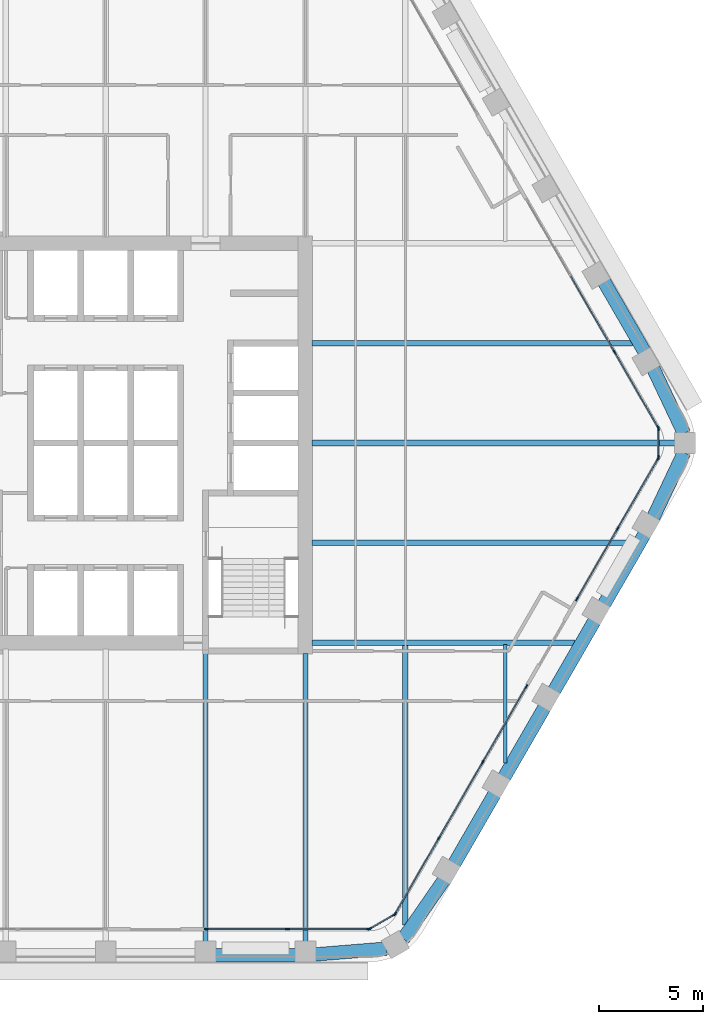
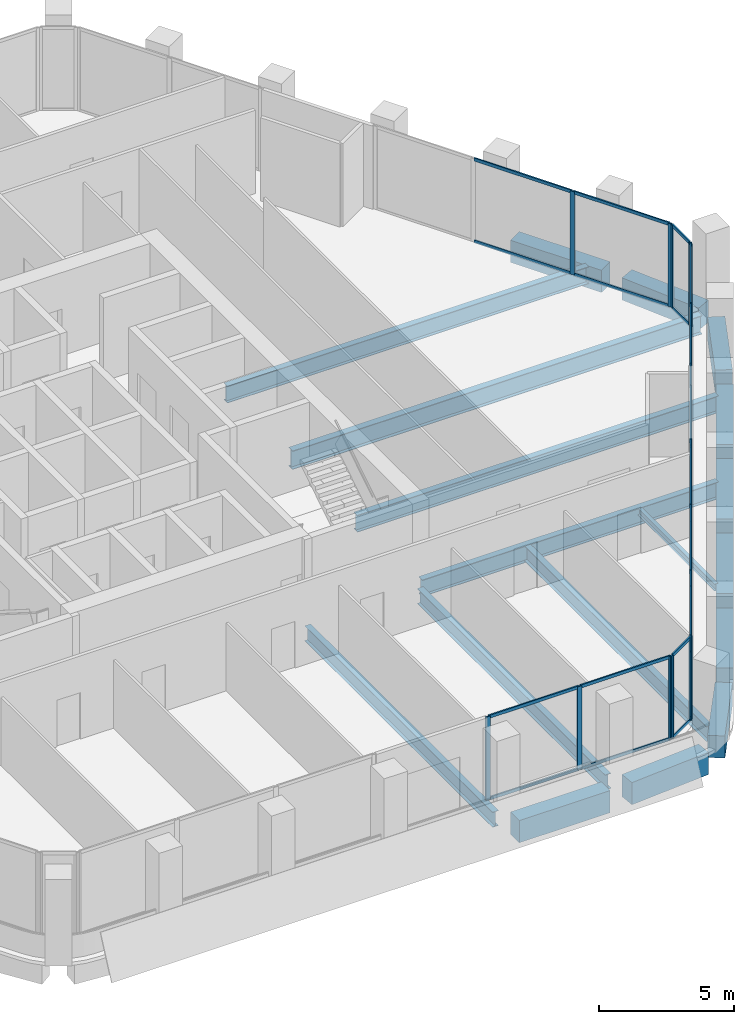
# One storey, part 4 of 15: 38 members, 18 beams, 6 elements without a shape of their own.
"""IFC4 building model written with IfcOpenShell, lengths in metres."""

from ifc_helpers import new_model, si_unit, direction, frame, origin, origin_2d, place, context, subcontext, project, spatial, rectangle, i_section, extrude, material, material_profile, profile_set, type_object, element, aggregate, save


model = new_model("IFC4")

# Units and contexts
model_context = context("Model", 3, precision=1e-05, world=origin(), true_north=direction((0.0, 1.0)))
body_context = subcontext(model_context, "Body", "Model", "MODEL_VIEW")
ifc_project = project(units=[si_unit("LENGTHUNIT", "METRE"), si_unit("AREAUNIT", "SQUARE_METRE"), si_unit("VOLUMEUNIT", "CUBIC_METRE"), si_unit("PLANEANGLEUNIT", "RADIAN"), si_unit("MASSUNIT", "GRAM", prefix="KILO")], contexts=[model_context])

# Site, building, storey
site_placement = place(None, origin())
site = spatial("IfcSite", under=ifc_project, at=site_placement, CompositionType="ELEMENT")
building_placement = place(site_placement, origin())
building = spatial("IfcBuilding", under=site, at=building_placement, Name="Kolab Exchange Tower", CompositionType="ELEMENT")
storey_placement = place(building_placement, frame((0.0, 0.0, 185.60009765625)))
storey = spatial("IfcBuildingStorey", under=building, at=storey_placement, Name="L39", CompositionType="ELEMENT", Elevation=185.60009765625)

# Beams
ifc_material_1 = material(Name="Steel S355", Category="steel")
ifc_material_profile_1 = material_profile(ifc_material_1, i_section(OverallWidth=0.1650390625, OverallDepth=0.31005859375, WebThickness=0.005859375, FlangeThickness=0.009765625, at=origin_2d()), Name="W310X39")
ifc_profile_set_1 = profile_set([ifc_material_profile_1], Name="Steel S355")
beam_type_1 = type_object("IfcBeamType", Name="FLOOR BEAM W310X39", PredefinedType="BEAM", material=ifc_profile_set_1)
beam_1_placement = place(storey_placement, frame((19.199951171875, -15.36767578125, -0.30517578125), z_axis=(0.0, 1.0, 0.0), x_axis=(-1.0, 0.0, 0.0)))
element("IfcBeam", 1, at=beam_1_placement, inside=storey, type_object=beam_type_1, Name="beam/L39/fr/022", PredefinedType="BEAM", context=body_context, shape_type="SweptSolid", body=[
    extrude(i_section(OverallWidth=0.1650390625, OverallDepth=0.31005859375, WebThickness=0.005859375, FlangeThickness=0.009765625, at=origin_2d()), origin(), (0.0, 0.0, 1.0), 5.674072265625),
])
ifc_material_profile_2 = material_profile(ifc_material_1, i_section(OverallWidth=0.25390625, OverallDepth=0.68408203125, WebThickness=0.012451171875, FlangeThickness=0.018798828125, at=origin_2d()), Name="W690X140")
ifc_profile_set_2 = profile_set([ifc_material_profile_2], Name="Steel S355")
beam_type_2 = type_object("IfcBeamType", Name="FLOOR BEAM W690X140", PredefinedType="BEAM", material=ifc_profile_set_2)
for number, where, z_axis, x_axis, name in (
    (2, (4.800048828125, -23.9814453125, -0.4921875), (0.0, 1.0, 0.0), (-1.0, 0.0, 0.0), "beam/L39/fr/013"),
    (3, (9.60009765625, -23.9814453125, -0.4921875), (0.0, 1.0, 0.0), (-1.0, 0.0, 0.0), "beam/L39/fr/015"),
):
    element("IfcBeam", number, at=place(storey_placement, frame(where, z_axis=z_axis, x_axis=x_axis)), inside=storey, type_object=beam_type_2, Name=name, PredefinedType="BEAM", context=body_context, shape_type="SweptSolid", body=[
        extrude(i_section(OverallWidth=0.25390625, OverallDepth=0.68408203125, WebThickness=0.012451171875, FlangeThickness=0.018798828125, at=origin_2d()), origin(), (0.0, 0.0, 1.0), 13.871337890625),
    ])
beam_2_placement = place(storey_placement, frame((14.39990234375, -23.15576171875, -0.4921875), z_axis=(0.0, 1.0, 0.0), x_axis=(-1.0, 0.0, 0.0)))
element("IfcBeam", 4, at=beam_2_placement, inside=storey, type_object=beam_type_2, Name="beam/L39/fr/020", PredefinedType="BEAM", context=body_context, shape_type="SweptSolid", body=[
    extrude(i_section(OverallWidth=0.25390625, OverallDepth=0.68408203125, WebThickness=0.012451171875, FlangeThickness=0.018798828125, at=origin_2d()), origin(), (0.0, 0.0, 1.0), 13.462158203125),
])
ifc_material_profile_3 = material_profile(ifc_material_1, i_section(OverallWidth=0.26708984375, OverallDepth=0.761962890625, WebThickness=0.014404296875, FlangeThickness=0.021484375, at=origin_2d()), Name="W760X173")
ifc_profile_set_3 = profile_set([ifc_material_profile_3], Name="Steel S355")
beam_type_3 = type_object("IfcBeamType", Name="FLOOR BEAM W760X173", PredefinedType="BEAM", material=ifc_profile_set_3)
for number, where, z_axis, x_axis, name in (
    (5, (9.909912109375, -4.800048828125, -0.531005859375), (1.0, 0.0, 0.0), (0.0, 1.0, 0.0), "beam/L39/fr/017"),
    (6, (9.909912109375, 4.800048828125, -0.531005859375), (1.0, 0.0, 0.0), (0.0, 1.0, 0.0), "beam/L39/fr/019"),
):
    element("IfcBeam", number, at=place(storey_placement, frame(where, z_axis=z_axis, x_axis=x_axis)), inside=storey, type_object=beam_type_3, Name=name, PredefinedType="BEAM", context=body_context, shape_type="SweptSolid", body=[
        extrude(i_section(OverallWidth=0.26708984375, OverallDepth=0.761962890625, WebThickness=0.014404296875, FlangeThickness=0.021484375, at=origin_2d()), origin(), (0.0, 0.0, 1.0), 15.408203125),
    ])
ifc_material_profile_4 = material_profile(ifc_material_1, i_section(OverallWidth=0.2919921875, OverallDepth=0.840087890625, WebThickness=0.0146484375, FlangeThickness=0.021728515625, at=origin_2d()), Name="W840X193")
ifc_profile_set_4 = profile_set([ifc_material_profile_4], Name="Steel S355")
beam_type_4 = type_object("IfcBeamType", Name="FLOOR BEAM W840X193", PredefinedType="BEAM", material=ifc_profile_set_4)
beam_3_placement = place(storey_placement, frame((9.909912109375, 0.0, -0.570068359375), z_axis=(1.0, 0.0, 0.0), x_axis=(0.0, 1.0, 0.0)))
element("IfcBeam", 7, at=beam_3_placement, inside=storey, type_object=beam_type_4, Name="beam/L39/fr/018", PredefinedType="BEAM", context=body_context, shape_type="SweptSolid", body=[
    extrude(i_section(OverallWidth=0.2919921875, OverallDepth=0.840087890625, WebThickness=0.0146484375, FlangeThickness=0.021728515625, at=origin_2d()), origin(), (0.0, 0.0, 1.0), 17.466064453125),
])
ifc_material_profile_5 = material_profile(ifc_material_1, i_section(OverallWidth=0.26708984375, OverallDepth=0.761962890625, WebThickness=0.014404296875, FlangeThickness=0.021484375, at=origin_2d()), Name="W760X173")
ifc_profile_set_5 = profile_set([ifc_material_profile_5], Name="Steel S355")
beam_type_5 = type_object("IfcBeamType", Name="FLOOR GIRDER W760X173", PredefinedType="BEAM", material=ifc_profile_set_5)
beam_4_placement = place(storey_placement, frame((9.909912109375, -9.60009765625, -0.531005859375), z_axis=(1.0, 0.0, 0.0), x_axis=(0.0, 1.0, 0.0)))
element("IfcBeam", 8, at=beam_4_placement, inside=storey, type_object=beam_type_5, Name="beam/L39/gd/002", PredefinedType="BEAM", context=body_context, shape_type="SweptSolid", body=[
    extrude(i_section(OverallWidth=0.26708984375, OverallDepth=0.761962890625, WebThickness=0.014404296875, FlangeThickness=0.021484375, at=origin_2d()), origin(), (0.0, 0.0, 1.0), 12.636962890625),
])
ifc_material_2 = material(Name="Concrete C60/75", Category="concrete")
ifc_material_profile_6 = material_profile(ifc_material_2, rectangle(XDim=0.64990234375, YDim=1.0, at=origin_2d()), Name="RC650X1000")
ifc_profile_set_6 = profile_set([ifc_material_profile_6], Name="Concrete C60/75")
beam_type_6 = type_object("IfcBeamType", Name="SPANDREL BEAM 650X1000 C60/75", PredefinedType="BEAM", material=ifc_profile_set_6)
beam_5_placement = place(storey_placement, frame((23.948486328125, 7.7529296875, -0.650146484375), z_axis=(0.499996613652, -0.866027358884, 0.0), x_axis=(0.866027358884, 0.499996613652, 0.0)))
element("IfcBeam", 9, at=beam_5_placement, inside=storey, type_object=beam_type_6, Name="beam/L39/sp/F2-05", PredefinedType="BEAM", context=body_context, shape_type="SweptSolid", body=[
    extrude(rectangle(XDim=0.64990234375, YDim=1.0, at=origin_2d()), origin(), (0.0, 0.0, 1.0), 3.8798828125),
])
for number, where, z_axis, x_axis, name in (
    (10, (26.316162109375, 3.5771484375, -0.650146484375), (0.428177731975, -0.903694544545, 0.0), (0.903694544545, 0.428177731975, 0.0), "beam/L39/sp/F2-06"),
    (11, (27.791259765625, -0.4638671875, -0.650146484375), (-0.428177731975, -0.903694544545, 0.0), (0.903694544545, -0.428177731975, 0.0), "beam/L39/sp/F3-01"),
):
    element("IfcBeam", number, at=place(storey_placement, frame(where, z_axis=z_axis, x_axis=x_axis)), inside=storey, type_object=beam_type_6, Name=name, PredefinedType="BEAM", context=body_context, shape_type="SweptSolid", body=[
        extrude(rectangle(XDim=0.64990234375, YDim=1.0, at=origin_2d()), origin(), (0.0, 0.0, 1.0), 3.445068359375),
    ])
for number, where, z_axis, x_axis, name in (
    (12, (25.888427734375, -4.392822265625, -0.650146484375), (-0.499996613652, -0.866027358884, 0.0), (0.866027358884, -0.499996613652, 0.0), "beam/L39/sp/F3-02"),
    (13, (23.488525390625, -8.5498046875, -0.650146484375), (-0.499996613652, -0.866027358884, 0.0), (0.866027358884, -0.499996613652, 0.0), "beam/L39/sp/F3-03"),
):
    element("IfcBeam", number, at=place(storey_placement, frame(where, z_axis=z_axis, x_axis=x_axis)), inside=storey, type_object=beam_type_6, Name=name, PredefinedType="BEAM", context=body_context, shape_type="SweptSolid", body=[
        extrude(rectangle(XDim=0.64990234375, YDim=1.0, at=origin_2d()), origin(), (0.0, 0.0, 1.0), 3.8798828125),
    ])
beam_6_placement = place(storey_placement, frame((21.088623046875, -12.70654296875, -0.650146484375), z_axis=(-0.50001655835, -0.866015843605, 0.0), x_axis=(0.866015843605, -0.50001655835, 0.0)))
element("IfcBeam", 14, at=beam_6_placement, inside=storey, type_object=beam_type_6, Name="beam/L39/sp/F3-04", PredefinedType="BEAM", context=body_context, shape_type="SweptSolid", body=[
    extrude(rectangle(XDim=0.64990234375, YDim=1.0, at=origin_2d()), origin(), (0.0, 0.0, 1.0), 3.880126953125),
])
beam_7_placement = place(storey_placement, frame((18.6884765625, -16.863525390625, -0.650146484375), z_axis=(-0.499996613652, -0.866027358884, 0.0), x_axis=(0.866027358884, -0.499996613652, 0.0)))
element("IfcBeam", 15, at=beam_7_placement, inside=storey, type_object=beam_type_6, Name="beam/L39/sp/F3-05", PredefinedType="BEAM", context=body_context, shape_type="SweptSolid", body=[
    extrude(rectangle(XDim=0.64990234375, YDim=1.0, at=origin_2d()), origin(), (0.0, 0.0, 1.0), 3.8798828125),
])
for number, where, z_axis, x_axis, name in (
    (16, (16.256103515625, -21.001953125, -0.650146484375), (-0.568572281073, -0.822633309073, 0.0), (0.822633309073, -0.568572281073, 0.0), "beam/L39/sp/F3-06"),
    (17, (13.493896484375, -24.2998046875, -0.650146484375), (-0.996708497182, -0.081068931445, 0.0), (0.081068931445, -0.996708497182, 0.0), "beam/L39/sp/F4-01"),
):
    element("IfcBeam", number, at=place(storey_placement, frame(where, z_axis=z_axis, x_axis=x_axis)), inside=storey, type_object=beam_type_6, Name=name, PredefinedType="BEAM", context=body_context, shape_type="SweptSolid", body=[
        extrude(rectangle(XDim=0.64990234375, YDim=1.0, at=origin_2d()), origin(), (0.0, 0.0, 1.0), 3.445068359375),
    ])
beam_8_placement = place(storey_placement, frame((9.139892578125, -24.616455078125, -0.650146484375), z_axis=(-1.0, 0.0, 0.0), x_axis=(0.0, -1.0, 0.0)))
element("IfcBeam", 18, at=beam_8_placement, inside=storey, type_object=beam_type_6, Name="beam/L39/sp/F4-02", PredefinedType="BEAM", context=body_context, shape_type="SweptSolid", body=[
    extrude(rectangle(XDim=0.64990234375, YDim=1.0, at=origin_2d()), origin(), (0.0, 0.0, 1.0), 3.8798828125),
])

# Curtain wall, members
ifc_material_3 = material(Name="Aluminium EN AW-6063 T6", Category="aluminium")
curtain_wall_type = type_object("IfcCurtainWallType", Name="UNITISED UPPER MID ZONE CURTAIN WALL", PredefinedType="NOTDEFINED", material=ifc_material_3)
curtain_wall_1_placement = place(storey_placement, origin())
curtain_wall_1 = element("IfcCurtainWall", 19, at=curtain_wall_1_placement, inside=storey, type_object=curtain_wall_type, Name="cw/L39/F2-2", PredefinedType="NOTDEFINED")
ifc_material_profile_7 = material_profile(ifc_material_3, rectangle(XDim=0.06005859375, YDim=0.199951171875, at=origin_2d()), Name="RECT 60X200")
ifc_profile_set_7 = profile_set([ifc_material_profile_7], Name="Aluminium EN AW-6063 T6")
member_type_1 = type_object("IfcMemberType", Name="UNITISED UPPER MID ZONE MULLION 60 X 200", PredefinedType="MULLION", material=ifc_profile_set_7)
member_1_placement = place(storey_placement, frame((24.454345703125, 4.366943359375, 0.0), z_axis=(0.0, 0.0, 1.0), x_axis=(0.866025427826, 0.499999958358, 0.0)))
member_1 = element("IfcMember", 20, at=member_1_placement, type_object=member_type_1, Name="CW3 mullion 3", PredefinedType="MULLION", context=body_context, shape_type="SweptSolid", body=[
    extrude(rectangle(XDim=0.06005859375, YDim=0.199951171875, at=origin_2d()), origin(), (0.0, 0.0, 1.0), 3.75),
])
member_2_placement = place(storey_placement, frame((26.550537109375, 0.736083984375, 0.0), z_axis=(0.0, 0.0, 1.0), x_axis=(0.866025427826, 0.499999958358, 0.0)))
member_2 = element("IfcMember", 21, at=member_2_placement, type_object=member_type_1, Name="CW3 mullion 4", PredefinedType="MULLION", context=body_context, shape_type="SweptSolid", body=[
    extrude(rectangle(XDim=0.06005859375, YDim=0.199951171875, at=origin_2d()), origin(), (0.0, 0.0, 1.0), 3.75),
])

curtain_wall_2_placement = place(storey_placement, origin())
curtain_wall_2 = element("IfcCurtainWall", 22, at=curtain_wall_2_placement, inside=storey, type_object=curtain_wall_type, Name="cw/L39/F3-1", PredefinedType="NOTDEFINED")
member_3_placement = place(storey_placement, frame((26.550537109375, -0.736083984375, 0.0), z_axis=(0.0, 0.0, 1.0), x_axis=(0.866025440524, -0.499999936366, 0.0)))
member_3 = element("IfcMember", 23, at=member_3_placement, type_object=member_type_1, Name="CW3 mullion 1", PredefinedType="MULLION", context=body_context, shape_type="SweptSolid", body=[
    extrude(rectangle(XDim=0.06005859375, YDim=0.199951171875, at=origin_2d()), origin(), (0.0, 0.0, 1.0), 3.75),
])
member_4_placement = place(storey_placement, frame((24.5986328125, -4.116943359375, 0.0), z_axis=(0.0, 0.0, 1.0), x_axis=(0.866025440524, -0.499999936366, 0.0)))
member_4 = element("IfcMember", 24, at=member_4_placement, type_object=member_type_1, Name="CW3 mullion 2", PredefinedType="MULLION", context=body_context, shape_type="SweptSolid", body=[
    extrude(rectangle(XDim=0.06005859375, YDim=0.199951171875, at=origin_2d()), origin(), (0.0, 0.0, 1.0), 3.75),
])
member_5_placement = place(storey_placement, frame((22.646728515625, -7.497802734375, 0.0), z_axis=(0.0, 0.0, 1.0), x_axis=(0.866025440524, -0.499999936366, 0.0)))
member_5 = element("IfcMember", 25, at=member_5_placement, type_object=member_type_1, Name="CW3 mullion 3", PredefinedType="MULLION", context=body_context, shape_type="SweptSolid", body=[
    extrude(rectangle(XDim=0.06005859375, YDim=0.199951171875, at=origin_2d()), origin(), (0.0, 0.0, 1.0), 3.75),
])

curtain_wall_3_placement = place(storey_placement, origin())
curtain_wall_3 = element("IfcCurtainWall", 26, at=curtain_wall_3_placement, inside=storey, type_object=curtain_wall_type, Name="cw/L39/F3-2", PredefinedType="NOTDEFINED")
member_6_placement = place(storey_placement, frame((20.216796875, -11.706787109375, 0.0), z_axis=(0.0, 0.0, 1.0), x_axis=(0.866025393644, -0.500000017564, 0.0)))
member_6 = element("IfcMember", 27, at=member_6_placement, type_object=member_type_1, Name="CW3 mullion 1", PredefinedType="MULLION", context=body_context, shape_type="SweptSolid", body=[
    extrude(rectangle(XDim=0.06005859375, YDim=0.199951171875, at=origin_2d()), origin(), (0.0, 0.0, 1.0), 3.75),
])
member_7_placement = place(storey_placement, frame((18.120361328125, -15.337646484375, 0.0), z_axis=(0.0, 0.0, 1.0), x_axis=(0.866025393644, -0.500000017564, 0.0)))
member_7 = element("IfcMember", 28, at=member_7_placement, type_object=member_type_1, Name="CW3 mullion 2", PredefinedType="MULLION", context=body_context, shape_type="SweptSolid", body=[
    extrude(rectangle(XDim=0.06005859375, YDim=0.199951171875, at=origin_2d()), origin(), (0.0, 0.0, 1.0), 3.75),
])
member_8_placement = place(storey_placement, frame((16.009033203125, -18.99462890625, 0.0), z_axis=(0.0, 0.0, 1.0), x_axis=(0.866025393644, -0.500000017564, 0.0)))
member_8 = element("IfcMember", 29, at=member_8_placement, type_object=member_type_1, Name="CW3 mullion 3", PredefinedType="MULLION", context=body_context, shape_type="SweptSolid", body=[
    extrude(rectangle(XDim=0.06005859375, YDim=0.199951171875, at=origin_2d()), origin(), (0.0, 0.0, 1.0), 3.75),
])
member_9_placement = place(storey_placement, frame((13.91259765625, -22.62548828125, 0.0), z_axis=(0.0, 0.0, 1.0), x_axis=(0.866025393644, -0.500000017564, 0.0)))
member_9 = element("IfcMember", 30, at=member_9_placement, type_object=member_type_1, Name="CW3 mullion 4", PredefinedType="MULLION", context=body_context, shape_type="SweptSolid", body=[
    extrude(rectangle(XDim=0.06005859375, YDim=0.199951171875, at=origin_2d()), origin(), (0.0, 0.0, 1.0), 3.75),
])

curtain_wall_4_placement = place(storey_placement, origin())
curtain_wall_4 = element("IfcCurtainWall", 31, at=curtain_wall_4_placement, inside=storey, type_object=curtain_wall_type, Name="cw/L39/F4-1", PredefinedType="NOTDEFINED")
member_10_placement = place(storey_placement, frame((12.637939453125, -23.361572265625, 0.0), z_axis=(0.0, 0.0, 1.0), x_axis=(0.0, -1.0, 0.0)))
member_10 = element("IfcMember", 32, at=member_10_placement, type_object=member_type_1, Name="CW3 mullion 1", PredefinedType="MULLION", context=body_context, shape_type="SweptSolid", body=[
    extrude(rectangle(XDim=0.06005859375, YDim=0.199951171875, at=origin_2d()), origin(), (0.0, 0.0, 1.0), 3.75),
])
member_11_placement = place(storey_placement, frame((8.73388671875, -23.361572265625, 0.0), z_axis=(0.0, 0.0, 1.0), x_axis=(0.0, -1.0, 0.0)))
member_11 = element("IfcMember", 33, at=member_11_placement, type_object=member_type_1, Name="CW3 mullion 2", PredefinedType="MULLION", context=body_context, shape_type="SweptSolid", body=[
    extrude(rectangle(XDim=0.06005859375, YDim=0.199951171875, at=origin_2d()), origin(), (0.0, 0.0, 1.0), 3.75),
])
member_12_placement = place(storey_placement, frame((4.830078125, -23.361572265625, 0.0), z_axis=(0.0, 0.0, 1.0), x_axis=(0.0, -1.0, 0.0)))
member_12 = element("IfcMember", 34, at=member_12_placement, type_object=member_type_1, Name="CW3 mullion 3", PredefinedType="MULLION", context=body_context, shape_type="SweptSolid", body=[
    extrude(rectangle(XDim=0.06005859375, YDim=0.199951171875, at=origin_2d()), origin(), (0.0, 0.0, 1.0), 3.75),
])

curtain_wall_5_placement = place(storey_placement, origin())
curtain_wall_5 = element("IfcCurtainWall", 35, at=curtain_wall_5_placement, inside=storey, type_object=curtain_wall_type, Name="cw/L39/F2F3-corner", PredefinedType="NOTDEFINED")
member_13_placement = place(storey_placement, frame((26.565673828125, 0.679931640625, 0.0), z_axis=(0.0, 0.0, 1.0), x_axis=(1.0, 0.0, 0.0)))
member_13 = element("IfcMember", 36, at=member_13_placement, type_object=member_type_1, Name="CW3 mullion 1", PredefinedType="MULLION", context=body_context, shape_type="SweptSolid", body=[
    extrude(rectangle(XDim=0.06005859375, YDim=0.199951171875, at=origin_2d()), origin(), (0.0, 0.0, 1.0), 3.75),
])
member_14_placement = place(storey_placement, frame((26.565673828125, -0.679931640625, 0.0), z_axis=(0.0, 0.0, 1.0), x_axis=(1.0, 0.0, 0.0)))
member_14 = element("IfcMember", 37, at=member_14_placement, type_object=member_type_1, Name="CW3 mullion 2", PredefinedType="MULLION", context=body_context, shape_type="SweptSolid", body=[
    extrude(rectangle(XDim=0.06005859375, YDim=0.199951171875, at=origin_2d()), origin(), (0.0, 0.0, 1.0), 3.75),
])

curtain_wall_6_placement = place(storey_placement, origin())
curtain_wall_6 = element("IfcCurtainWall", 38, at=curtain_wall_6_placement, inside=storey, type_object=curtain_wall_type, Name="cw/L39/F3F4-corner", PredefinedType="NOTDEFINED")
member_15_placement = place(storey_placement, frame((13.871826171875, -22.66650390625, 0.0), z_axis=(0.0, 0.0, 1.0), x_axis=(0.50000002237, -0.866025390869, 0.0)))
member_15 = element("IfcMember", 39, at=member_15_placement, type_object=member_type_1, Name="CW3 mullion 1", PredefinedType="MULLION", context=body_context, shape_type="SweptSolid", body=[
    extrude(rectangle(XDim=0.06005859375, YDim=0.199951171875, at=origin_2d()), origin(), (0.0, 0.0, 1.0), 3.75),
])
member_16_placement = place(storey_placement, frame((12.69384765625, -23.346435546875, 0.0), z_axis=(0.0, 0.0, 1.0), x_axis=(0.50000002237, -0.866025390869, 0.0)))
member_16 = element("IfcMember", 40, at=member_16_placement, type_object=member_type_1, Name="CW3 mullion 2", PredefinedType="MULLION", context=body_context, shape_type="SweptSolid", body=[
    extrude(rectangle(XDim=0.06005859375, YDim=0.199951171875, at=origin_2d()), origin(), (0.0, 0.0, 1.0), 3.75),
])

# Member
ifc_material_profile_8 = material_profile(ifc_material_3, rectangle(XDim=0.06005859375, YDim=0.139892578125, at=origin_2d()), Name="RECT 60X140")
ifc_profile_set_8 = profile_set([ifc_material_profile_8], Name="Aluminium EN AW-6063 T6")
member_type_2 = type_object("IfcMemberType", Name="UNITISED UPPER MID ZONE TRANSOM 60 X 140", PredefinedType="USERDEFINED", material=ifc_profile_set_8)
member_17_placement = place(storey_placement, frame((22.35791015625, 7.997802734375, 0.02978515625), z_axis=(0.49999322259, -0.866029316688, 0.0), x_axis=(0.866029316688, 0.49999322259, 0.0)))
member_17 = element("IfcMember", 41, at=member_17_placement, type_object=member_type_2, Name="CW3 transom 2.1", ObjectType="TRANSOM", PredefinedType="USERDEFINED", context=body_context, shape_type="SweptSolid", body=[
    extrude(rectangle(XDim=0.06005859375, YDim=0.139892578125, at=origin_2d()), origin(), (0.0, 0.0, 1.0), 4.16259765625),
])

member_18_placement = place(storey_placement, frame((22.35791015625, 7.997802734375, 3.719970703125), z_axis=(0.49999322259, -0.866029316688, 0.0), x_axis=(0.866029316688, 0.49999322259, 0.0)))
member_18 = element("IfcMember", 42, at=member_18_placement, type_object=member_type_2, Name="CW3 transom 2.2", ObjectType="TRANSOM", PredefinedType="USERDEFINED", context=body_context, shape_type="SweptSolid", body=[
    extrude(rectangle(XDim=0.06005859375, YDim=0.139892578125, at=origin_2d()), origin(), (0.0, 0.0, 1.0), 4.16259765625),
])

member_19_placement = place(storey_placement, frame((24.46923828125, 4.3408203125, 0.02978515625), z_axis=(0.500027577057, -0.866009481578, 0.0), x_axis=(0.866009481578, 0.500027577057, 0.0)))
member_19 = element("IfcMember", 43, at=member_19_placement, type_object=member_type_2, Name="CW3 transom 3.1", ObjectType="TRANSOM", PredefinedType="USERDEFINED", context=body_context, shape_type="SweptSolid", body=[
    extrude(rectangle(XDim=0.06005859375, YDim=0.139892578125, at=origin_2d()), origin(), (0.0, 0.0, 1.0), 4.132568359375),
])

member_20_placement = place(storey_placement, frame((24.46923828125, 4.3408203125, 3.719970703125), z_axis=(0.500027577057, -0.866009481578, 0.0), x_axis=(0.866009481578, 0.500027577057, 0.0)))
member_20 = element("IfcMember", 44, at=member_20_placement, type_object=member_type_2, Name="CW3 transom 3.2", ObjectType="TRANSOM", PredefinedType="USERDEFINED", context=body_context, shape_type="SweptSolid", body=[
    extrude(rectangle(XDim=0.06005859375, YDim=0.139892578125, at=origin_2d()), origin(), (0.0, 0.0, 1.0), 4.132568359375),
])

aggregate(curtain_wall_1, [member_1, member_2, member_17, member_18, member_19, member_20])

member_21_placement = place(storey_placement, frame((26.53564453125, -0.761962890625, 0.02978515625), z_axis=(-0.499991857942, -0.866030104553, 0.0), x_axis=(0.866030104553, -0.499991857942, 0.0)))
member_21 = element("IfcMember", 45, at=member_21_placement, type_object=member_type_2, Name="CW3 transom 1.1", ObjectType="TRANSOM", PredefinedType="USERDEFINED", context=body_context, shape_type="SweptSolid", body=[
    extrude(rectangle(XDim=0.06005859375, YDim=0.139892578125, at=origin_2d()), origin(), (0.0, 0.0, 1.0), 3.84375),
])

member_22_placement = place(storey_placement, frame((26.53564453125, -0.761962890625, 3.719970703125), z_axis=(-0.499991857942, -0.866030104553, 0.0), x_axis=(0.866030104553, -0.499991857942, 0.0)))
member_22 = element("IfcMember", 46, at=member_22_placement, type_object=member_type_2, Name="CW3 transom 1.2", ObjectType="TRANSOM", PredefinedType="USERDEFINED", context=body_context, shape_type="SweptSolid", body=[
    extrude(rectangle(XDim=0.06005859375, YDim=0.139892578125, at=origin_2d()), origin(), (0.0, 0.0, 1.0), 3.84375),
])

member_23_placement = place(storey_placement, frame((24.583740234375, -4.142822265625, 0.02978515625), z_axis=(-0.500011990396, -0.866018481016, 0.0), x_axis=(0.866018481016, -0.500011990396, 0.0)))
member_23 = element("IfcMember", 47, at=member_23_placement, type_object=member_type_2, Name="CW3 transom 2.1", ObjectType="TRANSOM", PredefinedType="USERDEFINED", context=body_context, shape_type="SweptSolid", body=[
    extrude(rectangle(XDim=0.06005859375, YDim=0.139892578125, at=origin_2d()), origin(), (0.0, 0.0, 1.0), 3.84423828125),
])

member_24_placement = place(storey_placement, frame((24.583740234375, -4.142822265625, 3.719970703125), z_axis=(-0.500011990396, -0.866018481016, 0.0), x_axis=(0.866018481016, -0.500011990396, 0.0)))
member_24 = element("IfcMember", 48, at=member_24_placement, type_object=member_type_2, Name="CW3 transom 2.2", ObjectType="TRANSOM", PredefinedType="USERDEFINED", context=body_context, shape_type="SweptSolid", body=[
    extrude(rectangle(XDim=0.06005859375, YDim=0.139892578125, at=origin_2d()), origin(), (0.0, 0.0, 1.0), 3.84423828125),
])

aggregate(curtain_wall_2, [member_3, member_4, member_5, member_21, member_22, member_23, member_24])

member_25_placement = place(storey_placement, frame((20.20166015625, -11.732666015625, 0.02978515625), z_axis=(-0.500001996123, -0.866024251319, 0.0), x_axis=(0.866024251319, -0.500001996123, 0.0)))
member_25 = element("IfcMember", 49, at=member_25_placement, type_object=member_type_2, Name="CW3 transom 1.1", ObjectType="TRANSOM", PredefinedType="USERDEFINED", context=body_context, shape_type="SweptSolid", body=[
    extrude(rectangle(XDim=0.06005859375, YDim=0.139892578125, at=origin_2d()), origin(), (0.0, 0.0, 1.0), 4.1328125),
])

member_26_placement = place(storey_placement, frame((20.20166015625, -11.732666015625, 3.719970703125), z_axis=(-0.500001996123, -0.866024251319, 0.0), x_axis=(0.866024251319, -0.500001996123, 0.0)))
member_26 = element("IfcMember", 50, at=member_26_placement, type_object=member_type_2, Name="CW3 transom 1.2", ObjectType="TRANSOM", PredefinedType="USERDEFINED", context=body_context, shape_type="SweptSolid", body=[
    extrude(rectangle(XDim=0.06005859375, YDim=0.139892578125, at=origin_2d()), origin(), (0.0, 0.0, 1.0), 4.1328125),
])

member_27_placement = place(storey_placement, frame((18.10546875, -15.36376953125, 0.02978515625), z_axis=(-0.500037208726, -0.86600392025, 0.0), x_axis=(0.86600392025, -0.500037208726, 0.0)))
member_27 = element("IfcMember", 51, at=member_27_placement, type_object=member_type_2, Name="CW3 transom 2.1", ObjectType="TRANSOM", PredefinedType="USERDEFINED", context=body_context, shape_type="SweptSolid", body=[
    extrude(rectangle(XDim=0.06005859375, YDim=0.139892578125, at=origin_2d()), origin(), (0.0, 0.0, 1.0), 4.162841796875),
])

member_28_placement = place(storey_placement, frame((18.10546875, -15.36376953125, 3.719970703125), z_axis=(-0.500037208726, -0.86600392025, 0.0), x_axis=(0.86600392025, -0.500037208726, 0.0)))
member_28 = element("IfcMember", 52, at=member_28_placement, type_object=member_type_2, Name="CW3 transom 2.2", ObjectType="TRANSOM", PredefinedType="USERDEFINED", context=body_context, shape_type="SweptSolid", body=[
    extrude(rectangle(XDim=0.06005859375, YDim=0.139892578125, at=origin_2d()), origin(), (0.0, 0.0, 1.0), 4.162841796875),
])

member_29_placement = place(storey_placement, frame((15.994140625, -19.0205078125, 0.02978515625), z_axis=(-0.500001996123, -0.866024251319, 0.0), x_axis=(0.866024251319, -0.500001996123, 0.0)))
member_29 = element("IfcMember", 53, at=member_29_placement, type_object=member_type_2, Name="CW3 transom 3.1", ObjectType="TRANSOM", PredefinedType="USERDEFINED", context=body_context, shape_type="SweptSolid", body=[
    extrude(rectangle(XDim=0.06005859375, YDim=0.139892578125, at=origin_2d()), origin(), (0.0, 0.0, 1.0), 4.1328125),
])

member_30_placement = place(storey_placement, frame((15.994140625, -19.0205078125, 3.719970703125), z_axis=(-0.500001996123, -0.866024251319, 0.0), x_axis=(0.866024251319, -0.500001996123, 0.0)))
member_30 = element("IfcMember", 54, at=member_30_placement, type_object=member_type_2, Name="CW3 transom 3.2", ObjectType="TRANSOM", PredefinedType="USERDEFINED", context=body_context, shape_type="SweptSolid", body=[
    extrude(rectangle(XDim=0.06005859375, YDim=0.139892578125, at=origin_2d()), origin(), (0.0, 0.0, 1.0), 4.1328125),
])

aggregate(curtain_wall_3, [member_6, member_7, member_8, member_9, member_25, member_26, member_27, member_28, member_29, member_30])

member_31_placement = place(storey_placement, frame((12.60791015625, -23.361572265625, 0.02978515625), z_axis=(-1.0, 0.0, 0.0), x_axis=(0.0, -1.0, 0.0)))
member_31 = element("IfcMember", 55, at=member_31_placement, type_object=member_type_2, Name="CW3 transom 1.1", ObjectType="TRANSOM", PredefinedType="USERDEFINED", context=body_context, shape_type="SweptSolid", body=[
    extrude(rectangle(XDim=0.06005859375, YDim=0.139892578125, at=origin_2d()), origin(), (0.0, 0.0, 1.0), 3.843994140625),
])

member_32_placement = place(storey_placement, frame((12.60791015625, -23.361572265625, 3.719970703125), z_axis=(-1.0, 0.0, 0.0), x_axis=(0.0, -1.0, 0.0)))
member_32 = element("IfcMember", 56, at=member_32_placement, type_object=member_type_2, Name="CW3 transom 1.2", ObjectType="TRANSOM", PredefinedType="USERDEFINED", context=body_context, shape_type="SweptSolid", body=[
    extrude(rectangle(XDim=0.06005859375, YDim=0.139892578125, at=origin_2d()), origin(), (0.0, 0.0, 1.0), 3.843994140625),
])

member_33_placement = place(storey_placement, frame((8.703857421875, -23.361572265625, 0.02978515625), z_axis=(-1.0, 0.0, 0.0), x_axis=(0.0, -1.0, 0.0)))
member_33 = element("IfcMember", 57, at=member_33_placement, type_object=member_type_2, Name="CW3 transom 2.1", ObjectType="TRANSOM", PredefinedType="USERDEFINED", context=body_context, shape_type="SweptSolid", body=[
    extrude(rectangle(XDim=0.06005859375, YDim=0.139892578125, at=origin_2d()), origin(), (0.0, 0.0, 1.0), 3.84375),
])

member_34_placement = place(storey_placement, frame((8.703857421875, -23.361572265625, 3.719970703125), z_axis=(-1.0, 0.0, 0.0), x_axis=(0.0, -1.0, 0.0)))
member_34 = element("IfcMember", 58, at=member_34_placement, type_object=member_type_2, Name="CW3 transom 2.2", ObjectType="TRANSOM", PredefinedType="USERDEFINED", context=body_context, shape_type="SweptSolid", body=[
    extrude(rectangle(XDim=0.06005859375, YDim=0.139892578125, at=origin_2d()), origin(), (0.0, 0.0, 1.0), 3.84375),
])

aggregate(curtain_wall_4, [member_10, member_11, member_12, member_31, member_32, member_33, member_34])

member_35_placement = place(storey_placement, frame((26.565673828125, 0.64990234375, 0.02978515625), z_axis=(0.0, -1.0, 0.0), x_axis=(1.0, 0.0, 0.0)))
member_35 = element("IfcMember", 59, at=member_35_placement, type_object=member_type_2, Name="CW3 transom 1.1", ObjectType="TRANSOM", PredefinedType="USERDEFINED", context=body_context, shape_type="SweptSolid", body=[
    extrude(rectangle(XDim=0.06005859375, YDim=0.139892578125, at=origin_2d()), origin(), (0.0, 0.0, 1.0), 1.2998046875),
])

member_36_placement = place(storey_placement, frame((26.565673828125, 0.64990234375, 3.719970703125), z_axis=(0.0, -1.0, 0.0), x_axis=(1.0, 0.0, 0.0)))
member_36 = element("IfcMember", 60, at=member_36_placement, type_object=member_type_2, Name="CW3 transom 1.2", ObjectType="TRANSOM", PredefinedType="USERDEFINED", context=body_context, shape_type="SweptSolid", body=[
    extrude(rectangle(XDim=0.06005859375, YDim=0.139892578125, at=origin_2d()), origin(), (0.0, 0.0, 1.0), 1.2998046875),
])

aggregate(curtain_wall_5, [member_13, member_14, member_35, member_36])

member_37_placement = place(storey_placement, frame((13.845703125, -22.681640625, 0.02978515625), z_axis=(-0.86603858612, -0.49997716683, 0.0), x_axis=(0.49997716683, -0.86603858612, 0.0)))
member_37 = element("IfcMember", 61, at=member_37_placement, type_object=member_type_2, Name="CW3 transom 1.1", ObjectType="TRANSOM", PredefinedType="USERDEFINED", context=body_context, shape_type="SweptSolid", body=[
    extrude(rectangle(XDim=0.06005859375, YDim=0.139892578125, at=origin_2d()), origin(), (0.0, 0.0, 1.0), 1.2998046875),
])

member_38_placement = place(storey_placement, frame((13.845703125, -22.681640625, 3.719970703125), z_axis=(-0.86603858612, -0.49997716683, 0.0), x_axis=(0.49997716683, -0.86603858612, 0.0)))
member_38 = element("IfcMember", 62, at=member_38_placement, type_object=member_type_2, Name="CW3 transom 1.2", ObjectType="TRANSOM", PredefinedType="USERDEFINED", context=body_context, shape_type="SweptSolid", body=[
    extrude(rectangle(XDim=0.06005859375, YDim=0.139892578125, at=origin_2d()), origin(), (0.0, 0.0, 1.0), 1.2998046875),
])

aggregate(curtain_wall_6, [member_15, member_16, member_37, member_38])

save(model, "model.ifc")
